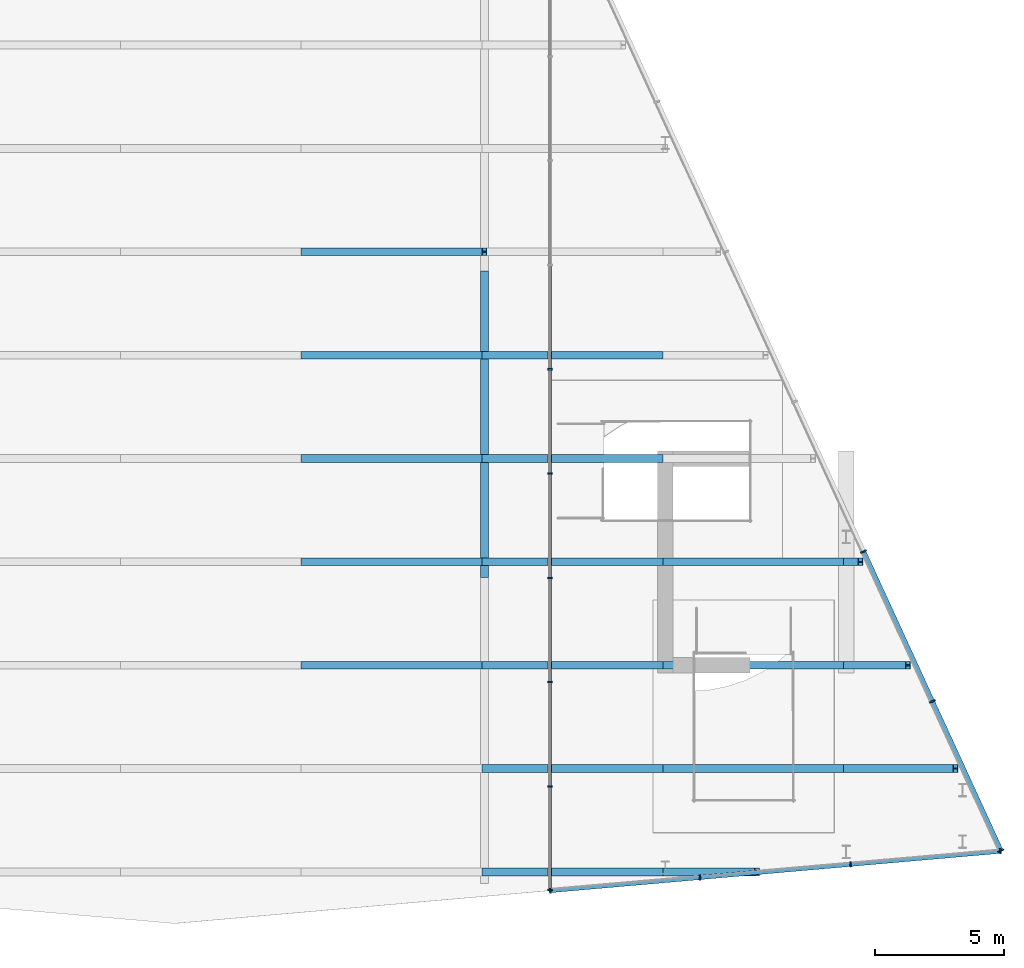
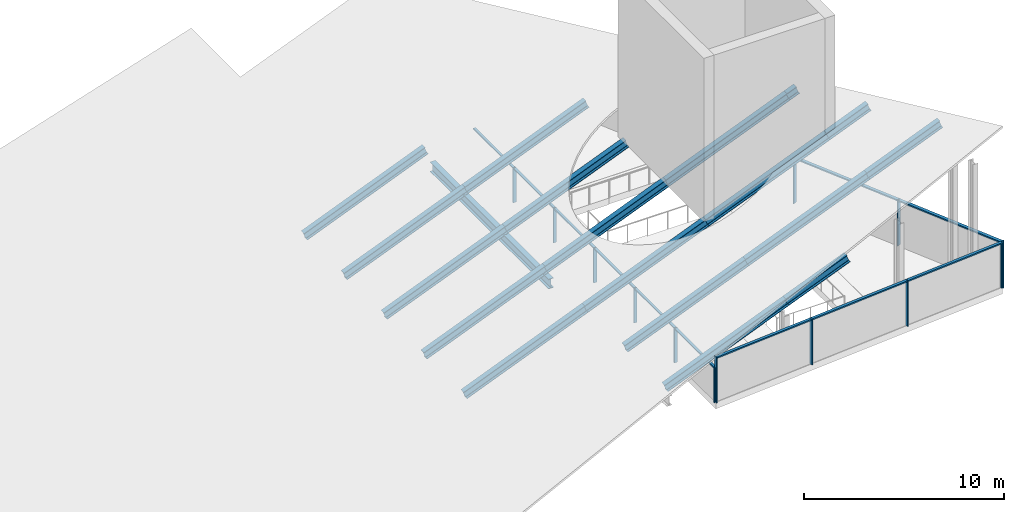
# One storey, part 3 of 8: 42 members, 1 beam, 3 elements without a shape of their own.
"""IFC4 building model written with IfcOpenShell, lengths in metres."""

from ifc_helpers import new_model, si_unit, direction, frame, origin, origin_2d, place, context, subcontext, project, spatial, rectangle, i_section, extrude, material, material_profile, profile_set, type_object, element, aggregate, save


model = new_model("IFC4")

# Units and contexts
model_context = context("Model", 3, precision=1e-05, world=origin(), true_north=direction((0.0, 1.0)))
body_context = subcontext(model_context, "Body", "Model", "MODEL_VIEW")
ifc_project = project(units=[si_unit("LENGTHUNIT", "METRE"), si_unit("AREAUNIT", "SQUARE_METRE"), si_unit("VOLUMEUNIT", "CUBIC_METRE"), si_unit("PLANEANGLEUNIT", "RADIAN"), si_unit("MASSUNIT", "GRAM", prefix="KILO")], contexts=[model_context])

# Site, building, storey
site_placement = place(None, origin())
site = spatial("IfcSite", under=ifc_project, at=site_placement, CompositionType="ELEMENT")
building_placement = place(site_placement, origin())
building = spatial("IfcBuilding", under=site, at=building_placement, Name="Wharfspan Tower", CompositionType="ELEMENT")
storey_placement = place(building_placement, frame((0.0, 0.0, 277.100098)))
storey = spatial("IfcBuildingStorey", under=building, at=storey_placement, Name="L71", CompositionType="ELEMENT", Elevation=277.100098)

# Curtain wall, members
ifc_material_1 = material(Name="Aluminium 6063-T6", Category="aluminium")
curtain_wall_type_1 = type_object("IfcCurtainWallType", Name="CURTAIN WALL CROWN GABLE", PredefinedType="NOTDEFINED", material=ifc_material_1)
curtain_wall_1_placement = place(storey_placement, origin())
curtain_wall_1 = element("IfcCurtainWall", 1, at=curtain_wall_1_placement, inside=storey, type_object=curtain_wall_type_1, Name="Crown gable glazing", PredefinedType="NOTDEFINED")
ifc_material_profile_1 = material_profile(ifc_material_1, rectangle(XDim=0.179932, YDim=0.060059, at=origin_2d()))
ifc_profile_set_1 = profile_set([ifc_material_profile_1], Name="Aluminium 6063-T6")
member_type_1 = type_object("IfcMemberType", Name="MULLION CROWN GABLE 60x180", PredefinedType="MULLION", material=ifc_profile_set_1)
member_1_placement = place(storey_placement, frame((60.531738, 7.301758, 0.0), z_axis=(0.0, 0.0, 1.0), x_axis=(-1.0, 0.0, 0.0)))
member_1 = element("IfcMember", 2, at=member_1_placement, type_object=member_type_1, Name="Crown gable glazing mullion 1", PredefinedType="MULLION", context=body_context, shape_type="SweptSolid", body=[
    extrude(rectangle(XDim=0.179932, YDim=0.060059, at=origin_2d()), origin(), (0.0, 0.0, 1.0), 2.124268),
])
member_2_placement = place(storey_placement, frame((60.531738, 11.308105, 0.0), z_axis=(0.0, 0.0, 1.0), x_axis=(-1.0, 0.0, 0.0)))
member_2 = element("IfcMember", 3, at=member_2_placement, type_object=member_type_1, Name="Crown gable glazing mullion 2", PredefinedType="MULLION", context=body_context, shape_type="SweptSolid", body=[
    extrude(rectangle(XDim=0.179932, YDim=0.060059, at=origin_2d()), origin(), (0.0, 0.0, 1.0), 2.124268),
])
member_3_placement = place(storey_placement, frame((60.531738, 15.344727, 0.0), z_axis=(0.0, 0.0, 1.0), x_axis=(-1.0, 0.0, 0.0)))
member_3 = element("IfcMember", 4, at=member_3_placement, type_object=member_type_1, Name="Crown gable glazing mullion 3", PredefinedType="MULLION", context=body_context, shape_type="SweptSolid", body=[
    extrude(rectangle(XDim=0.179932, YDim=0.060059, at=origin_2d()), origin(), (0.0, 0.0, 1.0), 2.124268),
])
member_4_placement = place(storey_placement, frame((60.531738, 19.381104, 0.0), z_axis=(0.0, 0.0, 1.0), x_axis=(-1.0, 0.0, 0.0)))
member_4 = element("IfcMember", 5, at=member_4_placement, type_object=member_type_1, Name="Crown gable glazing mullion 4", PredefinedType="MULLION", context=body_context, shape_type="SweptSolid", body=[
    extrude(rectangle(XDim=0.179932, YDim=0.060059, at=origin_2d()), origin(), (0.0, 0.0, 1.0), 2.124268),
])
member_5_placement = place(storey_placement, frame((60.531738, 23.417725, 0.0), z_axis=(0.0, 0.0, 1.0), x_axis=(-1.0, 0.0, 0.0)))
member_5 = element("IfcMember", 6, at=member_5_placement, type_object=member_type_1, Name="Crown gable glazing mullion 5", PredefinedType="MULLION", context=body_context, shape_type="SweptSolid", body=[
    extrude(rectangle(XDim=0.179932, YDim=0.060059, at=origin_2d()), origin(), (0.0, 0.0, 1.0), 2.124268),
])
member_6_placement = place(storey_placement, frame((60.531738, 27.454102, 0.0), z_axis=(0.0, 0.0, 1.0), x_axis=(-1.0, 0.0, 0.0)))
member_6 = element("IfcMember", 7, at=member_6_placement, type_object=member_type_1, Name="Crown gable glazing mullion 6", PredefinedType="MULLION", context=body_context, shape_type="SweptSolid", body=[
    extrude(rectangle(XDim=0.179932, YDim=0.060059, at=origin_2d()), origin(), (0.0, 0.0, 1.0), 2.124268),
])

curtain_wall_type_2 = type_object("IfcCurtainWallType", Name="CURTAIN WALL FACETED FRONT", PredefinedType="NOTDEFINED", material=ifc_material_1)
curtain_wall_2_placement = place(storey_placement, origin())
curtain_wall_2 = element("IfcCurtainWall", 8, at=curtain_wall_2_placement, inside=storey, type_object=curtain_wall_type_2, Name="Crown curtain wall S2", PredefinedType="NOTDEFINED")
ifc_material_profile_2 = material_profile(ifc_material_1, rectangle(XDim=0.199951, YDim=0.060059, at=origin_2d()))
ifc_profile_set_2 = profile_set([ifc_material_profile_2], Name="Aluminium 6063-T6")
member_type_2 = type_object("IfcMemberType", Name="MULLION FACETED FRONT 60x200", PredefinedType="MULLION", material=ifc_profile_set_2)
member_7_placement = place(storey_placement, frame((60.541504, 7.272705, 0.0), z_axis=(0.0, 0.0, 1.0), x_axis=(-0.087156, 0.996198, 0.0)))
member_7 = element("IfcMember", 9, at=member_7_placement, type_object=member_type_2, Name="Crown curtain wall S2 mullion 1", PredefinedType="MULLION", context=body_context, shape_type="SweptSolid", body=[
    extrude(rectangle(XDim=0.199951, YDim=0.060059, at=origin_2d()), origin(), (0.0, 0.0, 1.0), 2.799805),
])
member_8_placement = place(storey_placement, frame((66.341064, 7.780029, 0.0), z_axis=(0.0, 0.0, 1.0), x_axis=(-0.087156, 0.996198, 0.0)))
member_8 = element("IfcMember", 10, at=member_8_placement, type_object=member_type_2, Name="Crown curtain wall S2 mullion 2", PredefinedType="MULLION", context=body_context, shape_type="SweptSolid", body=[
    extrude(rectangle(XDim=0.199951, YDim=0.060059, at=origin_2d()), origin(), (0.0, 0.0, 1.0), 2.799805),
])
member_9_placement = place(storey_placement, frame((72.170654, 8.290039, 0.0), z_axis=(0.0, 0.0, 1.0), x_axis=(-0.087156, 0.996198, 0.0)))
member_9 = element("IfcMember", 11, at=member_9_placement, type_object=member_type_2, Name="Crown curtain wall S2 mullion 3", PredefinedType="MULLION", context=body_context, shape_type="SweptSolid", body=[
    extrude(rectangle(XDim=0.199951, YDim=0.060059, at=origin_2d()), origin(), (0.0, 0.0, 1.0), 2.799805),
])
member_10_placement = place(storey_placement, frame((77.970215, 8.797363, 0.0), z_axis=(0.0, 0.0, 1.0), x_axis=(-0.087156, 0.996198, 0.0)))
member_10 = element("IfcMember", 12, at=member_10_placement, type_object=member_type_2, Name="Crown curtain wall S2 mullion 4", PredefinedType="MULLION", context=body_context, shape_type="SweptSolid", body=[
    extrude(rectangle(XDim=0.199951, YDim=0.060059, at=origin_2d()), origin(), (0.0, 0.0, 1.0), 2.799805),
])

curtain_wall_type_3 = type_object("IfcCurtainWallType", Name="CURTAIN WALL PROW AND END", PredefinedType="NOTDEFINED", material=ifc_material_1)
curtain_wall_3_placement = place(storey_placement, origin())
curtain_wall_3 = element("IfcCurtainWall", 13, at=curtain_wall_3_placement, inside=storey, type_object=curtain_wall_type_3, Name="Crown curtain wall E", PredefinedType="NOTDEFINED")
ifc_material_profile_3 = material_profile(ifc_material_1, rectangle(XDim=0.23999, YDim=0.060059, at=origin_2d()))
ifc_profile_set_3 = profile_set([ifc_material_profile_3], Name="Aluminium 6063-T6")
member_type_3 = type_object("IfcMemberType", Name="MULLION PROW AND END 60x240", PredefinedType="MULLION", material=ifc_profile_set_3)
member_11_placement = place(storey_placement, frame((77.987549, 8.827148, 0.0), z_axis=(0.0, 0.0, 1.0), x_axis=(-0.908769, -0.417292, 0.0)))
member_11 = element("IfcMember", 14, at=member_11_placement, type_object=member_type_3, Name="Crown curtain wall E mullion 1", PredefinedType="MULLION", context=body_context, shape_type="SweptSolid", body=[
    extrude(rectangle(XDim=0.23999, YDim=0.060059, at=origin_2d()), origin(), (0.0, 0.0, 1.0), 2.799805),
])
member_12_placement = place(storey_placement, frame((75.33667, 14.600098, 0.0), z_axis=(0.0, 0.0, 1.0), x_axis=(-0.908769, -0.417292, 0.0)))
member_12 = element("IfcMember", 15, at=member_12_placement, type_object=member_type_3, Name="Crown curtain wall E mullion 2", PredefinedType="MULLION", context=body_context, shape_type="SweptSolid", body=[
    extrude(rectangle(XDim=0.23999, YDim=0.060059, at=origin_2d()), origin(), (0.0, 0.0, 1.0), 2.799805),
])
member_13_placement = place(storey_placement, frame((72.673584, 20.399902, 0.0), z_axis=(0.0, 0.0, 1.0), x_axis=(-0.908769, -0.417292, 0.0)))
member_13 = element("IfcMember", 16, at=member_13_placement, type_object=member_type_3, Name="Crown curtain wall E mullion 3", PredefinedType="MULLION", context=body_context, shape_type="SweptSolid", body=[
    extrude(rectangle(XDim=0.23999, YDim=0.060059, at=origin_2d()), origin(), (0.0, 0.0, 1.0), 2.799805),
])

# Beam
ifc_material_2 = material(Name="Steel S355J2", Category="steel")
ifc_material_profile_4 = material_profile(ifc_material_2, i_section(OverallWidth=0.300049, OverallDepth=0.600098, WebThickness=0.015381, FlangeThickness=0.030029, FilletRadius=0.0271, at=origin_2d()))
ifc_profile_set_4 = profile_set([ifc_material_profile_4], Name="Steel S355J2")
beam_type = type_object("IfcBeamType", Name="Roof girder HEB 600", PredefinedType="BEAM", material=ifc_profile_set_4)
beam_placement = place(storey_placement, frame((58.0, 19.400146, 0.806396), z_axis=(0.0, 1.0, 0.0), x_axis=(-1.0, 0.0, 0.0)))
element("IfcBeam", 17, at=beam_placement, inside=storey, type_object=beam_type, Name="Roof girder G6 19 to 31", PredefinedType="BEAM", context=body_context, shape_type="SweptSolid", body=[
    extrude(i_section(OverallWidth=0.300049, OverallDepth=0.600098, WebThickness=0.015381, FlangeThickness=0.030029, FilletRadius=0.0271, at=origin_2d()), origin(), (0.0, 0.0, 1.0), 11.849854),
])

# Members
ifc_material_profile_5 = material_profile(ifc_material_2, i_section(OverallWidth=0.300049, OverallDepth=0.5, WebThickness=0.014404, FlangeThickness=0.028076, FilletRadius=0.0271, at=origin_2d()))
ifc_profile_set_5 = profile_set([ifc_material_profile_5], Name="Steel S355J2")
member_type_4 = type_object("IfcMemberType", Name="Roof rafter HEB 500", PredefinedType="RAFTER", material=ifc_profile_set_5)
member_14_placement = place(storey_placement, frame((58.0, 8.0, 1.375977), z_axis=(0.927187, 0.0, 0.3746), x_axis=(0.0, 1.0, 0.0)))
element("IfcMember", 18, at=member_14_placement, inside=storey, type_object=member_type_4, Name="Roof rafter R1 bay 6", PredefinedType="RAFTER", context=body_context, shape_type="SweptSolid", body=[
    extrude(i_section(OverallWidth=0.300049, OverallDepth=0.5, WebThickness=0.014404, FlangeThickness=0.028076, FilletRadius=0.0271, at=origin_2d()), origin(), (0.0, 0.0, 1.0), 7.549805),
])
member_15_placement = place(storey_placement, frame((65.0, 8.0, 4.204102), z_axis=(0.927176, 0.0, 0.374626), x_axis=(0.0, 1.0, 0.0)))
element("IfcMember", 19, at=member_15_placement, inside=storey, type_object=member_type_4, Name="Roof rafter R1 bay 7", PredefinedType="RAFTER", context=body_context, shape_type="SweptSolid", body=[
    extrude(i_section(OverallWidth=0.300049, OverallDepth=0.5, WebThickness=0.014404, FlangeThickness=0.028076, FilletRadius=0.0271, at=origin_2d()), origin(), (0.0, 0.0, 1.0), 3.835205),
])
for number, where, z_axis, x_axis, name in (
    (20, (58.0, 12.0, 1.375977), (0.927187, 0.0, 0.3746), (0.0, 1.0, 0.0), "Roof rafter R2 bay 7"),
    (21, (65.0, 12.0, 4.204102), (0.927175, 0.0, 0.374628), (0.0, 1.0, 0.0), "Roof rafter R2 bay 8"),
):
    element("IfcMember", number, at=place(storey_placement, frame(where, z_axis=z_axis, x_axis=x_axis)), inside=storey, type_object=member_type_4, Name=name, PredefinedType="RAFTER", context=body_context, shape_type="SweptSolid", body=[
        extrude(i_section(OverallWidth=0.300049, OverallDepth=0.5, WebThickness=0.014404, FlangeThickness=0.028076, FilletRadius=0.0271, at=origin_2d()), origin(), (0.0, 0.0, 1.0), 7.549805),
    ])
member_16_placement = place(storey_placement, frame((72.0, 12.0, 7.032471), z_axis=(0.927191, 0.0, 0.37459), x_axis=(0.0, 1.0, 0.0)))
element("IfcMember", 22, at=member_16_placement, inside=storey, type_object=member_type_4, Name="Roof rafter R2 bay 9", PredefinedType="RAFTER", context=body_context, shape_type="SweptSolid", body=[
    extrude(i_section(OverallWidth=0.300049, OverallDepth=0.5, WebThickness=0.014404, FlangeThickness=0.028076, FilletRadius=0.0271, at=origin_2d()), origin(), (0.0, 0.0, 1.0), 4.562988),
])
for number, where, z_axis, x_axis, name in (
    (23, (51.0, 16.0, -1.452148), (0.927187, 0.0, 0.3746), (0.0, 1.0, 0.0), "Roof rafter R3 bay 6"),
    (24, (58.0, 16.0, 1.375977), (0.927187, 0.0, 0.3746), (0.0, 1.0, 0.0), "Roof rafter R3 bay 7"),
    (25, (65.0, 16.0, 4.204102), (0.927175, 0.0, 0.374628), (0.0, 1.0, 0.0), "Roof rafter R3 bay 8"),
):
    element("IfcMember", number, at=place(storey_placement, frame(where, z_axis=z_axis, x_axis=x_axis)), inside=storey, type_object=member_type_4, Name=name, PredefinedType="RAFTER", context=body_context, shape_type="SweptSolid", body=[
        extrude(i_section(OverallWidth=0.300049, OverallDepth=0.5, WebThickness=0.014404, FlangeThickness=0.028076, FilletRadius=0.0271, at=origin_2d()), origin(), (0.0, 0.0, 1.0), 7.549805),
    ])
member_17_placement = place(storey_placement, frame((72.0, 16.0, 7.032471), z_axis=(0.9272, 0.0, 0.374568), x_axis=(0.0, 1.0, 0.0)))
element("IfcMember", 26, at=member_17_placement, inside=storey, type_object=member_type_4, Name="Roof rafter R3 bay 9", PredefinedType="RAFTER", context=body_context, shape_type="SweptSolid", body=[
    extrude(i_section(OverallWidth=0.300049, OverallDepth=0.5, WebThickness=0.014404, FlangeThickness=0.028076, FilletRadius=0.0271, at=origin_2d()), origin(), (0.0, 0.0, 1.0), 2.581787),
])
for number, where, z_axis, x_axis, name in (
    (27, (51.0, 20.0, -1.452148), (0.927187, 0.0, 0.3746), (0.0, 1.0, 0.0), "Roof rafter R4 bay 6"),
    (28, (58.0, 20.0, 1.375977), (0.927187, 0.0, 0.3746), (0.0, 1.0, 0.0), "Roof rafter R4 bay 7"),
    (29, (65.0, 20.0, 4.204102), (0.927175, 0.0, 0.374628), (0.0, 1.0, 0.0), "Roof rafter R4 bay 8"),
):
    element("IfcMember", number, at=place(storey_placement, frame(where, z_axis=z_axis, x_axis=x_axis)), inside=storey, type_object=member_type_4, Name=name, PredefinedType="RAFTER", context=body_context, shape_type="SweptSolid", body=[
        extrude(i_section(OverallWidth=0.300049, OverallDepth=0.5, WebThickness=0.014404, FlangeThickness=0.028076, FilletRadius=0.0271, at=origin_2d()), origin(), (0.0, 0.0, 1.0), 7.549805),
    ])
member_18_placement = place(storey_placement, frame((72.0, 20.0, 7.032471), z_axis=(0.927182, 0.0, 0.374611), x_axis=(0.0, 1.0, 0.0)))
element("IfcMember", 30, at=member_18_placement, inside=storey, type_object=member_type_4, Name="Roof rafter R4 bay 9", PredefinedType="RAFTER", context=body_context, shape_type="SweptSolid", body=[
    extrude(i_section(OverallWidth=0.300049, OverallDepth=0.5, WebThickness=0.014404, FlangeThickness=0.028076, FilletRadius=0.0271, at=origin_2d()), origin(), (0.0, 0.0, 1.0), 0.60083),
])
for number, where, z_axis, x_axis, name in (
    (31, (51.0, 24.0, -1.452148), (0.927187, 0.0, 0.3746), (0.0, 1.0, 0.0), "Roof rafter R5 bay 6"),
    (32, (58.0, 24.0, 1.375977), (0.927187, 0.0, 0.3746), (0.0, 1.0, 0.0), "Roof rafter R5 bay 7"),
    (33, (51.0, 28.0, -1.452148), (0.927187, 0.0, 0.3746), (0.0, 1.0, 0.0), "Roof rafter R6 bay 6"),
    (34, (58.0, 28.0, 1.375977), (0.927187, 0.0, 0.3746), (0.0, 1.0, 0.0), "Roof rafter R6 bay 7"),
    (35, (51.0, 32.0, -1.452148), (0.927187, 0.0, 0.3746), (0.0, 1.0, 0.0), "Roof rafter R7 bay 6"),
):
    element("IfcMember", number, at=place(storey_placement, frame(where, z_axis=z_axis, x_axis=x_axis)), inside=storey, type_object=member_type_4, Name=name, PredefinedType="RAFTER", context=body_context, shape_type="SweptSolid", body=[
        extrude(i_section(OverallWidth=0.300049, OverallDepth=0.5, WebThickness=0.014404, FlangeThickness=0.028076, FilletRadius=0.0271, at=origin_2d()), origin(), (0.0, 0.0, 1.0), 7.549805),
    ])

# Member
ifc_material_profile_6 = material_profile(ifc_material_1, rectangle(XDim=0.139893, YDim=0.070068, at=origin_2d()))
ifc_profile_set_6 = profile_set([ifc_material_profile_6], Name="Aluminium 6063-T6")
member_type_5 = type_object("IfcMemberType", Name="TRANSOM CROWN GABLE 70x140", PredefinedType="USERDEFINED", material=ifc_profile_set_6)
member_19_placement = place(storey_placement, frame((60.531738, 7.331787, 2.089355), z_axis=(0.0, 1.0, 0.0), x_axis=(-1.0, 0.0, 0.0)))
member_19 = element("IfcMember", 36, at=member_19_placement, type_object=member_type_5, Name="Crown gable glazing transom 1", ObjectType="TRANSOM", PredefinedType="USERDEFINED", context=body_context, shape_type="SweptSolid", body=[
    extrude(rectangle(XDim=0.139893, YDim=0.070068, at=origin_2d()), origin(), (0.0, 0.0, 1.0), 3.946289),
])

member_20_placement = place(storey_placement, frame((60.531738, 11.338135, 2.089355), z_axis=(0.0, 1.0, 0.0), x_axis=(-1.0, 0.0, 0.0)))
member_20 = element("IfcMember", 37, at=member_20_placement, type_object=member_type_5, Name="Crown gable glazing transom 2", ObjectType="TRANSOM", PredefinedType="USERDEFINED", context=body_context, shape_type="SweptSolid", body=[
    extrude(rectangle(XDim=0.139893, YDim=0.070068, at=origin_2d()), origin(), (0.0, 0.0, 1.0), 3.976562),
])

member_21_placement = place(storey_placement, frame((60.531738, 15.374756, 2.089355), z_axis=(0.0, 1.0, 0.0), x_axis=(-1.0, 0.0, 0.0)))
member_21 = element("IfcMember", 38, at=member_21_placement, type_object=member_type_5, Name="Crown gable glazing transom 3", ObjectType="TRANSOM", PredefinedType="USERDEFINED", context=body_context, shape_type="SweptSolid", body=[
    extrude(rectangle(XDim=0.139893, YDim=0.070068, at=origin_2d()), origin(), (0.0, 0.0, 1.0), 3.976318),
])

member_22_placement = place(storey_placement, frame((60.531738, 19.411133, 2.089355), z_axis=(0.0, 1.0, 0.0), x_axis=(-1.0, 0.0, 0.0)))
member_22 = element("IfcMember", 39, at=member_22_placement, type_object=member_type_5, Name="Crown gable glazing transom 4", ObjectType="TRANSOM", PredefinedType="USERDEFINED", context=body_context, shape_type="SweptSolid", body=[
    extrude(rectangle(XDim=0.139893, YDim=0.070068, at=origin_2d()), origin(), (0.0, 0.0, 1.0), 3.976562),
])

member_23_placement = place(storey_placement, frame((60.531738, 23.44751, 2.089355), z_axis=(0.0, 1.0, 0.0), x_axis=(-1.0, 0.0, 0.0)))
member_23 = element("IfcMember", 40, at=member_23_placement, type_object=member_type_5, Name="Crown gable glazing transom 5", ObjectType="TRANSOM", PredefinedType="USERDEFINED", context=body_context, shape_type="SweptSolid", body=[
    extrude(rectangle(XDim=0.139893, YDim=0.070068, at=origin_2d()), origin(), (0.0, 0.0, 1.0), 3.976562),
])

member_24_placement = place(storey_placement, frame((60.531738, 27.484131, 2.089355), z_axis=(0.0, 1.0, 0.0), x_axis=(-1.0, 0.0, 0.0)))
member_24 = element("IfcMember", 41, at=member_24_placement, type_object=member_type_5, Name="Crown gable glazing transom 6", ObjectType="TRANSOM", PredefinedType="USERDEFINED", context=body_context, shape_type="SweptSolid", body=[
    extrude(rectangle(XDim=0.139893, YDim=0.070068, at=origin_2d()), origin(), (0.0, 0.0, 1.0), 3.976562),
])

aggregate(curtain_wall_1, [member_1, member_2, member_3, member_4, member_5, member_6, member_19, member_20, member_21, member_22, member_23, member_24])

ifc_material_profile_7 = material_profile(ifc_material_1, rectangle(XDim=0.159912, YDim=0.080078, at=origin_2d()))
ifc_profile_set_7 = profile_set([ifc_material_profile_7], Name="Aluminium 6063-T6")
member_type_6 = type_object("IfcMemberType", Name="TRANSOM FACETED FRONT 80x160", PredefinedType="USERDEFINED", material=ifc_profile_set_7)
member_25_placement = place(storey_placement, frame((60.571533, 7.275146, 2.76001), z_axis=(0.996194, 0.087162, 0.0), x_axis=(-0.087162, 0.996194, 0.0)))
member_25 = element("IfcMember", 42, at=member_25_placement, type_object=member_type_6, Name="Crown curtain wall S2 transom 1", ObjectType="TRANSOM", PredefinedType="USERDEFINED", context=body_context, shape_type="SweptSolid", body=[
    extrude(rectangle(XDim=0.159912, YDim=0.080078, at=origin_2d()), origin(), (0.0, 0.0, 1.0), 5.761719),
])

member_26_placement = place(storey_placement, frame((66.371094, 7.782715, 2.76001), z_axis=(0.996197, 0.087133, 0.0), x_axis=(-0.087133, 0.996197, 0.0)))
member_26 = element("IfcMember", 43, at=member_26_placement, type_object=member_type_6, Name="Crown curtain wall S2 transom 2", ObjectType="TRANSOM", PredefinedType="USERDEFINED", context=body_context, shape_type="SweptSolid", body=[
    extrude(rectangle(XDim=0.159912, YDim=0.080078, at=origin_2d()), origin(), (0.0, 0.0, 1.0), 5.791504),
])

member_27_placement = place(storey_placement, frame((72.200439, 8.292725, 2.76001), z_axis=(0.996198, 0.08712, 0.0), x_axis=(-0.08712, 0.996198, 0.0)))
member_27 = element("IfcMember", 44, at=member_27_placement, type_object=member_type_6, Name="Crown curtain wall S2 transom 3", ObjectType="TRANSOM", PredefinedType="USERDEFINED", context=body_context, shape_type="SweptSolid", body=[
    extrude(rectangle(XDim=0.159912, YDim=0.080078, at=origin_2d()), origin(), (0.0, 0.0, 1.0), 5.761719),
])

aggregate(curtain_wall_2, [member_7, member_8, member_9, member_10, member_25, member_26, member_27])

ifc_material_profile_8 = material_profile(ifc_material_1, rectangle(XDim=0.179932, YDim=0.080078, at=origin_2d()))
ifc_profile_set_8 = profile_set([ifc_material_profile_8], Name="Aluminium 6063-T6")
member_type_7 = type_object("IfcMemberType", Name="TRANSOM PROW AND END 80x180", PredefinedType="USERDEFINED", material=ifc_profile_set_8)
member_28_placement = place(storey_placement, frame((77.974854, 8.854492, 2.76001), z_axis=(-0.417261, 0.908787, 0.0), x_axis=(-0.908787, -0.417261, 0.0)))
member_28 = element("IfcMember", 45, at=member_28_placement, type_object=member_type_7, Name="Crown curtain wall E transom 1", ObjectType="TRANSOM", PredefinedType="USERDEFINED", context=body_context, shape_type="SweptSolid", body=[
    extrude(rectangle(XDim=0.179932, YDim=0.080078, at=origin_2d()), origin(), (0.0, 0.0, 1.0), 6.292236),
])

member_29_placement = place(storey_placement, frame((75.324219, 14.627197, 2.76001), z_axis=(-0.41728, 0.908778, 0.0), x_axis=(-0.908778, -0.41728, 0.0)))
member_29 = element("IfcMember", 46, at=member_29_placement, type_object=member_type_7, Name="Crown curtain wall E transom 2", ObjectType="TRANSOM", PredefinedType="USERDEFINED", context=body_context, shape_type="SweptSolid", body=[
    extrude(rectangle(XDim=0.179932, YDim=0.080078, at=origin_2d()), origin(), (0.0, 0.0, 1.0), 6.322266),
])

aggregate(curtain_wall_3, [member_11, member_12, member_13, member_28, member_29])

save(model, "model.ifc")
